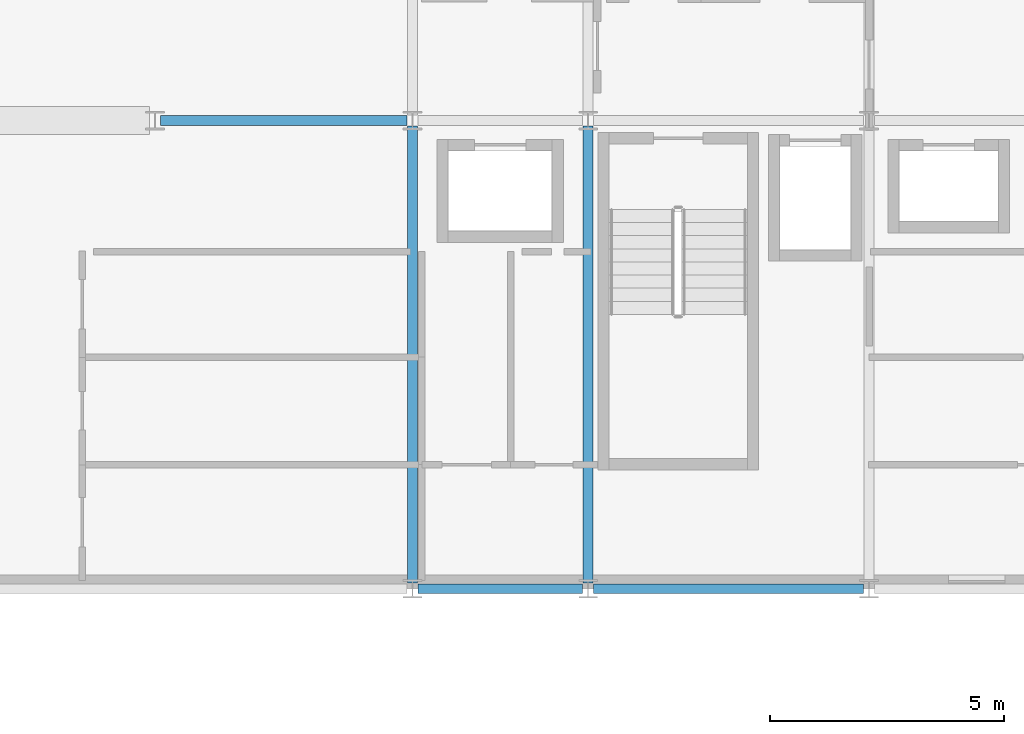
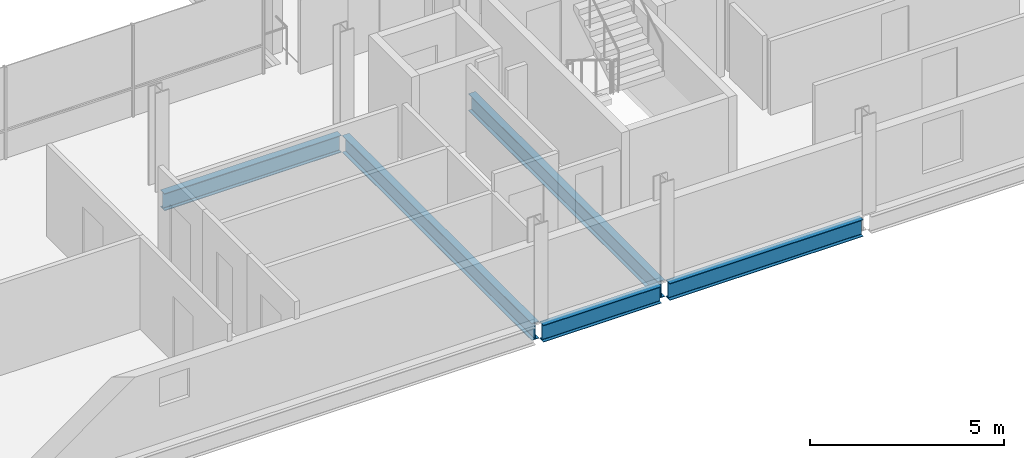
# One storey, part 15 of 35: 5 beams.
"""IFC4 building model written with IfcOpenShell, lengths in metres."""

from ifc_helpers import new_model, si_unit, direction, frame, origin, origin_2d, place, context, subcontext, project, spatial, i_section, extrude, material, material_profile, profile_set, type_object, element, save


model = new_model("IFC4")

# Units and contexts
model_context = context("Model", 3, precision=1e-05, world=origin(), true_north=direction((0.0, 1.0)))
body_context = subcontext(model_context, "Body", "Model", "MODEL_VIEW")
ifc_project = project(units=[si_unit("LENGTHUNIT", "METRE"), si_unit("AREAUNIT", "SQUARE_METRE"), si_unit("VOLUMEUNIT", "CUBIC_METRE"), si_unit("PLANEANGLEUNIT", "RADIAN"), si_unit("MASSUNIT", "GRAM", prefix="KILO")], contexts=[model_context])

# Site, building, storey
site_placement = place(None, origin())
site = spatial("IfcSite", under=ifc_project, at=site_placement, CompositionType="ELEMENT")
building_placement = place(site_placement, origin())
building = spatial("IfcBuilding", under=site, at=building_placement, Name="Brevholm Reach", CompositionType="ELEMENT")
storey_placement = place(building_placement, frame((0.0, 0.0, 183.199951171875)))
storey = spatial("IfcBuildingStorey", under=building, at=storey_placement, Name="L55", CompositionType="ELEMENT", Elevation=183.199951171875)

# Beams
ifc_material_1 = material(Name="Structural Steel S355J2", Category="steel")
ifc_material_profile_1 = material_profile(ifc_material_1, i_section(OverallWidth=0.209228515625, OverallDepth=0.533203125, WebThickness=0.010009765625, FlangeThickness=0.015625, FilletRadius=0.0126953125, at=origin_2d()), Name="UKB 533x210x92")
ifc_profile_set_1 = profile_set([ifc_material_profile_1], Name="Structural Steel S355J2")
beam_type_1 = type_object("IfcBeamType", Name="BM-SP533", PredefinedType="SPANDREL", material=ifc_profile_set_1)
beam_1_placement = place(storey_placement, frame((38.3701171875, 0.0, -0.4765625), z_axis=(1.0, 0.0, 0.0), x_axis=(0.0, 1.0, 0.0)))
element("IfcBeam", 1, at=beam_1_placement, inside=storey, type_object=beam_type_1, Name="L55 SP-02 Framing Beam", PredefinedType="SPANDREL", context=body_context, shape_type="SweptSolid", body=[
    extrude(i_section(OverallWidth=0.209228515625, OverallDepth=0.533203125, WebThickness=0.010009765625, FlangeThickness=0.015625, FilletRadius=0.0126953125, at=origin_2d()), origin(), (0.0, 0.0, 1.0), 3.509765625),
])
beam_2_placement = place(storey_placement, frame((42.1201171875, 0.0, -0.4765625), z_axis=(1.0, 0.0, 0.0), x_axis=(0.0, 1.0, 0.0)))
element("IfcBeam", 2, at=beam_2_placement, inside=storey, type_object=beam_type_1, Name="L55 SP-02 Framing Beam", PredefinedType="SPANDREL", context=body_context, shape_type="SweptSolid", body=[
    extrude(i_section(OverallWidth=0.209228515625, OverallDepth=0.533203125, WebThickness=0.010009765625, FlangeThickness=0.015625, FilletRadius=0.0126953125, at=origin_2d()), origin(), (0.0, 0.0, 1.0), 5.759765625),
])
ifc_material_2 = material(Name="Structural Steel S355J2", Category="steel")
ifc_material_profile_2 = material_profile(ifc_material_2, i_section(OverallWidth=0.210693359375, OverallDepth=0.53955078125, WebThickness=0.01171875, FlangeThickness=0.018798828125, FilletRadius=0.0126953125, at=origin_2d()), Name="UKB 533x210x109")
ifc_profile_set_2 = profile_set([ifc_material_profile_2], Name="Structural Steel S355J2")
beam_type_2 = type_object("IfcBeamType", Name="BM-SP539", PredefinedType="SPANDREL", material=ifc_profile_set_2)
beam_3_placement = place(storey_placement, frame((32.8701171875, 10.0, -0.479736328125), z_axis=(1.0, 0.0, 0.0), x_axis=(0.0, 1.0, 0.0)))
element("IfcBeam", 3, at=beam_3_placement, inside=storey, type_object=beam_type_2, Name="L55 SP-01B Framing Beam", PredefinedType="SPANDREL", context=body_context, shape_type="SweptSolid", body=[
    extrude(i_section(OverallWidth=0.210693359375, OverallDepth=0.53955078125, WebThickness=0.01171875, FlangeThickness=0.018798828125, FilletRadius=0.0126953125, at=origin_2d()), origin(), (0.0, 0.0, 1.0), 5.259765625),
])
for number, where, z_axis, x_axis, name in (
    (4, (38.25, 0.1201171875, -0.479736328125), (0.0, 1.0, 0.0), (-1.0, 0.0, 0.0), "L55 SP-01B Framing Beam"),
    (5, (42.0, 0.1201171875, -0.479736328125), (0.0, 1.0, 0.0), (-1.0, 0.0, 0.0), "L55 SP-01B Framing Beam"),
):
    element("IfcBeam", number, at=place(storey_placement, frame(where, z_axis=z_axis, x_axis=x_axis)), inside=storey, type_object=beam_type_2, Name=name, PredefinedType="SPANDREL", context=body_context, shape_type="SweptSolid", body=[
        extrude(i_section(OverallWidth=0.210693359375, OverallDepth=0.53955078125, WebThickness=0.01171875, FlangeThickness=0.018798828125, FilletRadius=0.0126953125, at=origin_2d()), origin(), (0.0, 0.0, 1.0), 9.759765625),
    ])

save(model, "model.ifc")
